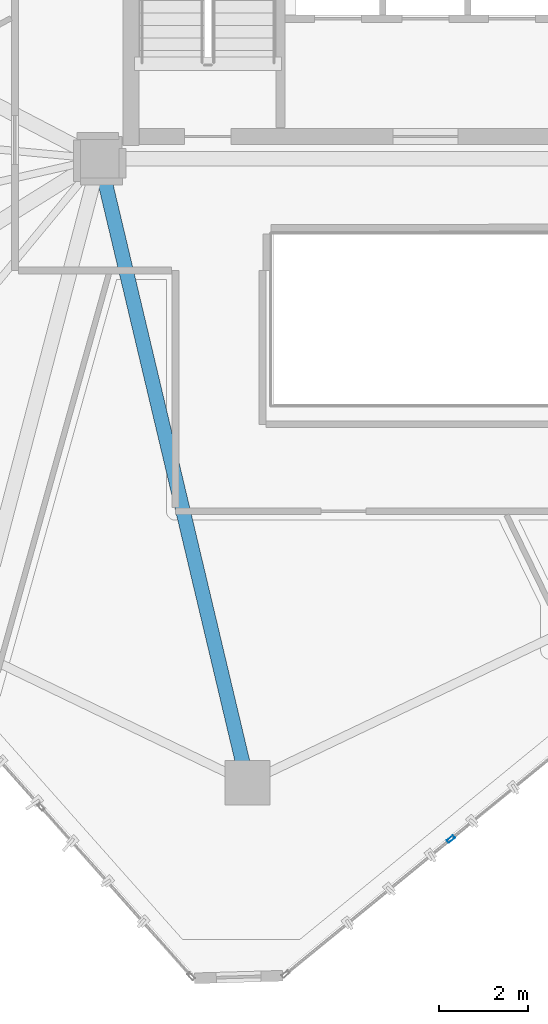
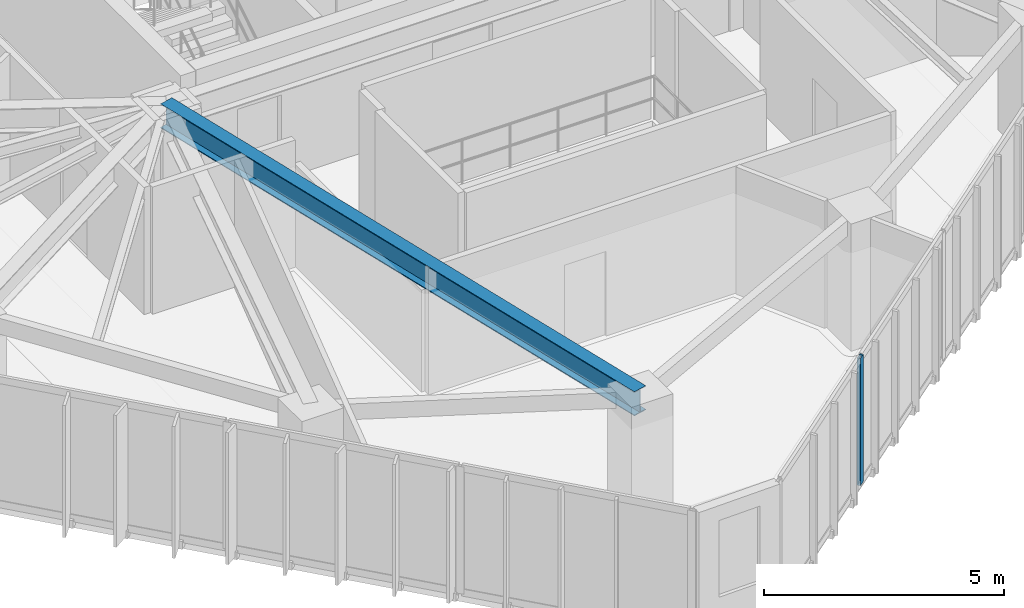
# One storey, part 5 of 22: 1 beam, 1 member, 1 element without a shape of its own.
"""IFC4 building model written with IfcOpenShell, lengths in metres."""

from ifc_helpers import new_model, si_unit, direction, frame, origin, origin_2d, place, context, subcontext, project, spatial, hollow_rectangle, i_section, extrude, source, transform, mapped, material, layer, layer_set, material_profile, profile_set, type_object, type_shapes, element, aggregate, save


model = new_model("IFC4")

# Units and contexts
model_context = context("Model", 3, precision=1e-05, world=origin(), true_north=direction((0.0, 1.0)))
body_context = subcontext(model_context, "Body", "Model", "MODEL_VIEW")
ifc_project = project(units=[si_unit("LENGTHUNIT", "METRE"), si_unit("AREAUNIT", "SQUARE_METRE"), si_unit("VOLUMEUNIT", "CUBIC_METRE"), si_unit("PLANEANGLEUNIT", "RADIAN"), si_unit("MASSUNIT", "GRAM", prefix="KILO")], contexts=[model_context])

# Site, building, storey
site_placement = place(None, origin())
site = spatial("IfcSite", under=ifc_project, at=site_placement, CompositionType="ELEMENT")
building_placement = place(site_placement, origin())
building = spatial("IfcBuilding", under=site, at=building_placement, Name="Talar Marvaseh", CompositionType="ELEMENT")
storey_placement = place(building_placement, frame((0.0, 0.0, 229.199951171875)))
storey = spatial("IfcBuildingStorey", under=building, at=storey_placement, Name="L60", CompositionType="ELEMENT", Elevation=229.199951171875)

# Beam
ifc_material_1 = material(Name="Steel S355", Category="steel")
ifc_material_profile_1 = material_profile(ifc_material_1, i_section(OverallWidth=0.324951171875, OverallDepth=0.615966796875, WebThickness=0.013916015625, FlangeThickness=0.021484375, at=origin_2d()), Name="W610x174")
ifc_profile_set_1 = profile_set([ifc_material_profile_1], Name="Steel S355")
beam_type = type_object("IfcBeamType", Name="Zone 3 Radial Floor Girder W610x174", PredefinedType="BEAM", material=ifc_profile_set_1)
beam_placement = place(storey_placement, frame((22.014892578125, 11.51904296875, 2.922119140625), z_axis=(-0.230707708791, 0.973023099985, 0.0), x_axis=(-0.973023099985, -0.230707708791, 0.0)))
element("IfcBeam", 1, at=beam_placement, inside=storey, type_object=beam_type, Name="L60 Zone 3 Radial Floor Girder W610x174", PredefinedType="BEAM", context=body_context, shape_type="SweptSolid", body=[
    extrude(i_section(OverallWidth=0.324951171875, OverallDepth=0.615966796875, WebThickness=0.013916015625, FlangeThickness=0.021484375, at=origin_2d()), origin(), (0.0, 0.0, 1.0), 14.36865234375),
])

# Curtain wall, member
ifc_material_2 = material(Name="Architectural Aluminium", Category="aluminium")
ifc_layer = layer(ifc_material_2, 0.18994140625)
ifc_layer_set = layer_set([ifc_layer], Name="Architectural Aluminium")
curtain_wall_type = type_object("IfcCurtainWallType", Name="Unitised Solar Atelier Curtain Wall Z3", PredefinedType="NOTDEFINED", material=ifc_layer_set)
curtain_wall_placement = place(storey_placement, origin())
curtain_wall = element("IfcCurtainWall", 2, at=curtain_wall_placement, inside=storey, type_object=curtain_wall_type, Name="L60 Unitised Solar Atelier Curtain Wall Z3", PredefinedType="NOTDEFINED")
ifc_material_profile_2 = material_profile(ifc_material_2, hollow_rectangle(XDim=0.074951171875, YDim=0.179931640625, WallThickness=0.0048828125, at=origin_2d()), Name="RHS180x75x5")
ifc_profile_set_2 = profile_set([ifc_material_profile_2], Name="Architectural Aluminium")
member_type = type_object("IfcMemberType", Name="Unitised Curtain Wall Standard Mullion RHS180x75x5", PredefinedType="MULLION", material=ifc_profile_set_2)
shared_shape = source(origin(), body_context, "Body", "SweptSolid", [
    extrude(hollow_rectangle(XDim=0.074951171875, YDim=0.179931640625, WallThickness=0.0048828125, at=origin_2d()), origin(), (0.0, 0.0, 1.0), 3.22998046875),
])
type_shapes(member_type, [shared_shape])
member_placement = place(storey_placement, frame((26.57470703125, 10.25390625, 0.0), z_axis=(0.0, 0.0, 1.0), x_axis=(0.632822116312, -0.774297209801, 0.0)))
member = element("IfcMember", 3, at=member_placement, type_object=member_type, Name="CW-Z3 mullion 4", PredefinedType="MULLION", context=body_context, shape_type="MappedRepresentation", body=[
    mapped(shared_shape, transform((0.0, 0.0, 0.0), x_axis=(1.0, 0.0, 0.0), y_axis=(0.0, 1.0, 0.0), z_axis=(0.0, 0.0, 1.0), scale=1.0)),
])
aggregate(curtain_wall, [member])

save(model, "model.ifc")
